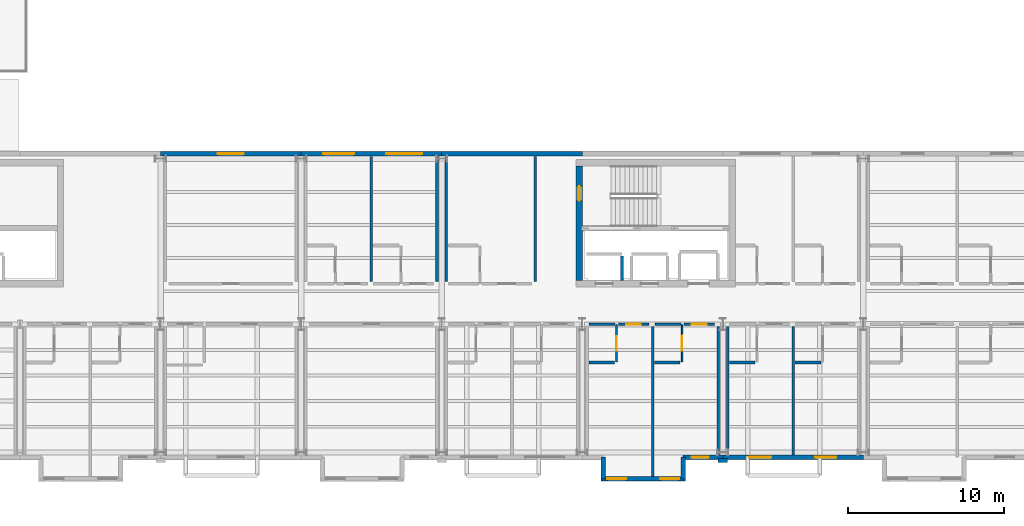
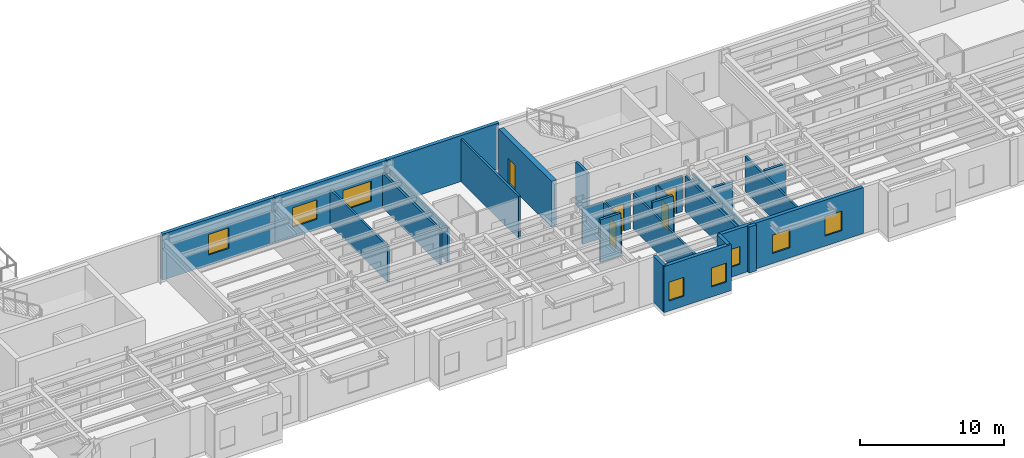
# One storey, part 40 of 59: 29 walls, 8 windows, 5 doors, 13 openings.
"""IFC4 building model written with IfcOpenShell, lengths in metres."""

import ifcopenshell
import ifcopenshell.guid

model = None  # the IFC model being written
_history = None  # IfcOwnerHistory: only IFC2X3 demands one
_inside = {}  # id of a spatial element -> (the spatial element, [elements in it])
_under = {}  # id of a project, library or spatial element -> (it, [spatial elements below it])
_declared = {}  # id of a project -> (the project, [libraries it declares])
_typed = {}  # id of a type object -> (the type object, [elements of that type])
_made_of = {}  # id of a material, layer set ... -> (it, [elements and type objects made of it])


def new_model(schema):
    """Start an empty IFC model of exactly this schema.

    Asked for "IFC4X3", IfcOpenShell would pick the latest addendum, in which some entities
    have other attributes; the version numbers below select the first issue.
    IFC2X3 requires an IfcOwnerHistory on every rooted entity: one is made here for all.
    """
    global model, _history
    if schema == "IFC4X3":
        model = ifcopenshell.file(schema_version=(4, 3, 0, 0))
    else:
        model = ifcopenshell.file(schema=schema)
    _inside.clear()
    _under.clear()
    _declared.clear()
    _typed.clear()
    _made_of.clear()
    _history = None
    if model.schema == "IFC2X3":
        org = make("IfcOrganization", Name="unknown")
        user = make(
            "IfcPersonAndOrganization",
            ThePerson=make("IfcPerson", FamilyName="unknown"),
            TheOrganization=org,
        )
        app = make(
            "IfcApplication",
            ApplicationDeveloper=org,
            Version="unknown",
            ApplicationFullName="unknown",
            ApplicationIdentifier="unknown",
        )
        _history = make(
            "IfcOwnerHistory",
            OwningUser=user,
            OwningApplication=app,
            ChangeAction="ADDED",
            CreationDate=0,
        )
    return model


def make(cls, **values):
    """One entity of the class cls with the attributes given. An attribute that is None is left unset."""
    return model.create_entity(
        cls, **{name: value for name, value in values.items() if value is not None}
    )


def rooted(cls, **values):
    """An entity with a GlobalId (a new one), such as an element, a storey or a relation."""
    return make(cls, GlobalId=ifcopenshell.guid.new(), OwnerHistory=_history, **values)


def si_unit(unit_type, name, prefix=None):
    """IfcSIUnit, for example si_unit("LENGTHUNIT", "METRE", prefix="MILLI")."""
    return make("IfcSIUnit", UnitType=unit_type, Prefix=prefix, Name=name)


def assignment(units):
    """IfcUnitAssignment: the units of a project."""
    return None if units is None else make("IfcUnitAssignment", Units=units)


def point(xyz):
    """IfcCartesianPoint."""
    return None if xyz is None else make("IfcCartesianPoint", Coordinates=xyz)


def direction(xyz):
    """IfcDirection."""
    return None if xyz is None else make("IfcDirection", DirectionRatios=xyz)


def frame(location, z_axis=None, x_axis=None):
    """IfcAxis2Placement3D, a coordinate frame: its origin and axes. An axis left out is left unset."""
    return make(
        "IfcAxis2Placement3D",
        Location=point(location),
        Axis=direction(z_axis),
        RefDirection=direction(x_axis),
    )


def frame_2d(location, x_axis=None):
    """IfcAxis2Placement2D, a coordinate frame in the plane: its origin and x axis."""
    return make(
        "IfcAxis2Placement2D", Location=point(location), RefDirection=direction(x_axis)
    )


def origin():
    """The frame at (0, 0, 0) with its axes left unset."""
    return frame((0.0, 0.0, 0.0))


def place(relative_to, where):
    """IfcLocalPlacement: puts the frame where relative to a parent placement (None: the world)."""
    return make(
        "IfcLocalPlacement", PlacementRelTo=relative_to, RelativePlacement=where
    )


def context(
    kind, dimensions, precision=None, world=None, true_north=None, identifier=None
):
    """IfcGeometricRepresentationContext, for example the 3D "Model" context."""
    return make(
        "IfcGeometricRepresentationContext",
        ContextIdentifier=identifier,
        ContextType=kind,
        CoordinateSpaceDimension=dimensions,
        Precision=precision,
        WorldCoordinateSystem=world,
        TrueNorth=true_north,
    )


def subcontext(parent, identifier, kind, view, scale=None):
    """IfcGeometricRepresentationSubContext, for example "Body" below "Model"."""
    return make(
        "IfcGeometricRepresentationSubContext",
        ContextIdentifier=identifier,
        ContextType=kind,
        ParentContext=parent,
        TargetScale=scale,
        TargetView=view,
    )


def project(units=None, contexts=None):
    """IfcProject with its units and contexts."""
    return rooted(
        "IfcProject",
        Name="project",
        RepresentationContexts=contexts,
        UnitsInContext=assignment(units),
    )


def spatial(cls, under=None, at=None, **own):
    """A site, building, storey or space (cls), placed at a placement, below another one or the project."""
    s = rooted(cls, ObjectPlacement=at, **own)
    if under is not None:
        _under.setdefault(under.id(), (under, []))[1].append(s)
    return s


def profile(cls, at=None, kind="AREA", **sizes):
    """A parametric profile (cls). Its sizes go by their IFC names, for example OverallWidth=200.0."""
    return make(cls, ProfileType=kind, Position=at, **sizes)


def rectangle(**sizes):
    """IfcRectangleProfileDef."""
    return profile("IfcRectangleProfileDef", **sizes)


def extrude(swept, where, along, depth):
    """IfcExtrudedAreaSolid: the profile swept, set in the frame where, extruded along a direction by depth."""
    return make(
        "IfcExtrudedAreaSolid",
        SweptArea=swept,
        Position=where,
        ExtrudedDirection=direction(along),
        Depth=depth,
    )


def shape(context_of_items, identifier, shape_type, items):
    """IfcShapeRepresentation: the items that make up one representation, for example the "Body"."""
    return make(
        "IfcShapeRepresentation",
        ContextOfItems=context_of_items,
        RepresentationIdentifier=identifier,
        RepresentationType=shape_type,
        Items=items,
    )


def material(Name=None, Category=None):
    """IfcMaterial."""
    return make("IfcMaterial", Name=Name, Category=Category)


def layer(
    of_material, thickness, ventilated=None, Name=None, Category=None, Priority=None
):
    """IfcMaterialLayer: one layer of a wall or slab, of a material (None: an air gap)."""
    return make(
        "IfcMaterialLayer",
        Material=of_material,
        LayerThickness=thickness,
        IsVentilated=ventilated,
        Name=Name,
        Category=Category,
        Priority=Priority,
    )


def layer_set(layers, Name=None):
    """IfcMaterialLayerSet."""
    return make("IfcMaterialLayerSet", MaterialLayers=layers, LayerSetName=Name)


def made_of(thing, what):
    """Note that an element or type object is made of a material, layer set ...; save() writes the relation."""
    if what is not None:
        _made_of.setdefault(what.id(), (what, []))[1].append(thing)
    return thing


def type_object(cls, material=None, **own):
    """A type object (cls), such as IfcWallType, which elements share."""
    return made_of(rooted(cls, **own), material)


def element(
    cls,
    number,
    at=None,
    inside=None,
    cuts=None,
    type_object=None,
    material=None,
    context=None,
    identifier="Body",
    shape_type=None,
    held_by="IfcProductDefinitionShape",
    body=None,
    shapes=None,
    **own,
):
    """One element of the class cls, such as IfcWall. Its Tag is "e" and its number.

    at: its placement. inside: the storey or other place that contains it. cuts: it is an
    opening in that element (IfcRelVoidsElement). A single representation is given by context,
    identifier, shape_type and body (its items); several are given by shapes. held_by: the class
    of the entity that holds the representations. save() writes the other relations.
    """
    e = rooted(cls, Tag="e%d" % number, ObjectPlacement=at, **own)
    if body is not None:
        shapes = [shape(context, identifier, shape_type, body)]
    if shapes is not None:
        e.Representation = make(held_by, Representations=shapes)
    if inside is not None:
        _inside.setdefault(inside.id(), (inside, []))[1].append(e)
    if cuts is not None:
        rooted(
            "IfcRelVoidsElement", RelatingBuildingElement=cuts, RelatedOpeningElement=e
        )
    if type_object is not None:
        _typed.setdefault(type_object.id(), (type_object, []))[1].append(e)
    return made_of(e, material)


def fill(opening, filler):
    """IfcRelFillsElement: the door or window that sits in an opening."""
    return rooted(
        "IfcRelFillsElement",
        RelatingOpeningElement=opening,
        RelatedBuildingElement=filler,
    )


def aggregate(whole, parts):
    """IfcRelAggregates: a whole, such as a stair, and the parts it consists of."""
    return rooted("IfcRelAggregates", RelatingObject=whole, RelatedObjects=parts)


def save(model, path):
    """Write the relations noted so far, then the file.

    IfcRelAggregates (storeys below a building ...), IfcRelContainedInSpatialStructure (elements
    in a storey), IfcRelDefinesByType, IfcRelAssociatesMaterial and IfcRelDeclares: one each for
    every whole, place, type object, material and project.
    """
    for whole, parts in _under.values():
        aggregate(whole, parts)
    for where, things in _inside.values():
        rooted(
            "IfcRelContainedInSpatialStructure",
            RelatedElements=things,
            RelatingStructure=where,
        )
    for kind, things in _typed.values():
        rooted("IfcRelDefinesByType", RelatedObjects=things, RelatingType=kind)
    for what, things in _made_of.values():
        rooted("IfcRelAssociatesMaterial", RelatedObjects=things, RelatingMaterial=what)
    for by, libraries in _declared.values():
        rooted("IfcRelDeclares", RelatingContext=by, RelatedDefinitions=libraries)
    model.write(path)


model = new_model("IFC4")

# Units and contexts
model_context = context("Model", 3, precision=1e-05, world=origin(), true_north=direction((0.0, 1.0)))
body_context = subcontext(model_context, "Body", "Model", "MODEL_VIEW")
ifc_project = project(units=[si_unit("LENGTHUNIT", "METRE"), si_unit("AREAUNIT", "SQUARE_METRE"), si_unit("VOLUMEUNIT", "CUBIC_METRE"), si_unit("PLANEANGLEUNIT", "RADIAN"), si_unit("MASSUNIT", "GRAM", prefix="KILO")], contexts=[model_context])

# Site, building, storey
site_placement = place(None, origin())
site = spatial("IfcSite", under=ifc_project, at=site_placement, CompositionType="ELEMENT")
building_placement = place(site_placement, origin())
building = spatial("IfcBuilding", under=site, at=building_placement, Name="Sollismere Congress Hotel", CompositionType="ELEMENT")
storey_placement = place(building_placement, frame((0.0, 0.0, 15.60009765625)))
storey = spatial("IfcBuildingStorey", under=building, at=storey_placement, Name="L03", CompositionType="ELEMENT", Elevation=15.60009765625)

# Wall, opening, window
ifc_material_1 = material(Name="Colorado Buff Sandstone Rainscreen on Insulated Backup", Category="masonry")
ifc_layer_1 = layer(ifc_material_1, 0.284912109375, Name="Colorado Buff Sandstone Rainscreen on Insulated Backup")
ifc_layer_set_1 = layer_set([ifc_layer_1], Name="Colorado Buff Sandstone Rainscreen on Insulated Backup")
wall_type_1 = type_object("IfcWallType", Name="WL-EXT285", PredefinedType="STANDARD", material=ifc_layer_set_1)
wall_1_placement = place(storey_placement, frame((100.4599609375, -0.31005859375, 0.0), z_axis=(0.0, 0.0, 1.0), x_axis=(1.0, 0.0, 0.0)))
wall_1 = element("IfcWall", 1, at=wall_1_placement, inside=storey, type_object=wall_type_1, Name="Exterior wall EW-L03-411", PredefinedType="STANDARD", context=body_context, shape_type="SweptSolid", body=[
    extrude(rectangle(XDim=2.5400390625, YDim=0.284912109375, at=frame_2d((1.27001953125, 0.0))), origin(), (0.0, 0.0, 1.0), 3.89990234375),
])
opening_1_placement = place(wall_1_placement, frame((0.544921875, 0.0, 0.85009765625)))
opening_1 = element("IfcOpeningElement", 2, at=opening_1_placement, cuts=wall_1, Name="Opening W-L03-323", PredefinedType="OPENING", context=body_context, shape_type="SweptSolid", body=[
    extrude(rectangle(XDim=1.10009765625, YDim=1.5, at=frame_2d((0.550048828125, 0.75))), frame((0.0, 0.15234375, 0.0), z_axis=(0.0, -1.0, 0.0), x_axis=(1.0, 0.0, 0.0)), (0.0, 0.0, 1.0), 0.304931640625),
])
ifc_material_2 = material(Name="Thermally Broken Bronze Aluminum & Low-E Glass", Category="aluminium")
window_type_1 = type_object("IfcWindowType", Name="WN-P110x150", PartitioningType="SINGLE_PANEL", PredefinedType="WINDOW", material=ifc_material_2)
window_1_placement = place(opening_1_placement, origin())
window_1 = element("IfcWindow", 3, at=window_1_placement, inside=storey, type_object=window_type_1, Name="WIN-W-L03-323", OverallHeight=1.5, OverallWidth=1.10009765625, PartitioningType="SINGLE_PANEL", PredefinedType="WINDOW", context=body_context, shape_type="SweptSolid", body=[
    extrude(rectangle(XDim=1.10009765625, YDim=1.5, at=frame_2d((0.550048828125, 0.75))), frame((0.0, 0.030029296875, 0.0), z_axis=(0.0, -1.0, 0.0), x_axis=(1.0, 0.0, 0.0)), (0.0, 0.0, 1.0), 0.06005859375),
])
fill(opening_1, window_1)

# Wall, openings, windows
wall_2_placement = place(storey_placement, frame((95.199951171875, -1.699951171875, 0.0), z_axis=(0.0, 0.0, 1.0), x_axis=(1.0, 0.0, 0.0)))
wall_2 = element("IfcWall", 4, at=wall_2_placement, inside=storey, type_object=wall_type_1, Name="Exterior wall EW-L03-412", PredefinedType="STANDARD", context=body_context, shape_type="SweptSolid", body=[
    extrude(rectangle(XDim=5.400146484375, YDim=0.284912109375, at=frame_2d((2.7001953125, 0.0))), origin(), (0.0, 0.0, 1.0), 3.89990234375),
])
opening_2_placement = place(wall_2_placement, frame((0.39990234375, 0.0, 0.85009765625)))
opening_2 = element("IfcOpeningElement", 5, at=opening_2_placement, cuts=wall_2, Name="Opening W-L03-324", PredefinedType="OPENING", context=body_context, shape_type="SweptSolid", body=[
    extrude(rectangle(XDim=1.199951171875, YDim=1.60009765625, at=frame_2d((0.60009765625, 0.800048828125))), frame((0.0, 0.15234375, 0.0), z_axis=(0.0, -1.0, 0.0), x_axis=(1.0, 0.0, 0.0)), (0.0, 0.0, 1.0), 0.304931640625),
])
opening_3_placement = place(wall_2_placement, frame((3.800048828125, 0.0, 0.85009765625)))
opening_3 = element("IfcOpeningElement", 6, at=opening_3_placement, cuts=wall_2, Name="Opening W-L03-325", PredefinedType="OPENING", context=body_context, shape_type="SweptSolid", body=[
    extrude(rectangle(XDim=1.199951171875, YDim=1.60009765625, at=frame_2d((0.60009765625, 0.800048828125))), frame((0.0, 0.15234375, 0.0), z_axis=(0.0, -1.0, 0.0), x_axis=(1.0, 0.0, 0.0)), (0.0, 0.0, 1.0), 0.304931640625),
])
window_type_2 = type_object("IfcWindowType", Name="WN-P120x160", PartitioningType="SINGLE_PANEL", PredefinedType="WINDOW", material=ifc_material_2)
window_2_placement = place(opening_2_placement, origin())
window_2 = element("IfcWindow", 7, at=window_2_placement, inside=storey, type_object=window_type_2, Name="WIN-W-L03-324", OverallHeight=1.60009765625, OverallWidth=1.199951171875, PartitioningType="SINGLE_PANEL", PredefinedType="WINDOW", context=body_context, shape_type="SweptSolid", body=[
    extrude(rectangle(XDim=1.199951171875, YDim=1.60009765625, at=frame_2d((0.60009765625, 0.800048828125))), frame((0.0, 0.030029296875, 0.0), z_axis=(0.0, -1.0, 0.0), x_axis=(1.0, 0.0, 0.0)), (0.0, 0.0, 1.0), 0.06005859375),
])
fill(opening_2, window_2)
window_3_placement = place(opening_3_placement, origin())
window_3 = element("IfcWindow", 8, at=window_3_placement, inside=storey, type_object=window_type_2, Name="WIN-W-L03-325", OverallHeight=1.60009765625, OverallWidth=1.199951171875, PartitioningType="SINGLE_PANEL", PredefinedType="WINDOW", context=body_context, shape_type="SweptSolid", body=[
    extrude(rectangle(XDim=1.199951171875, YDim=1.60009765625, at=frame_2d((0.60009765625, 0.800048828125))), frame((0.0, 0.030029296875, 0.0), z_axis=(0.0, -1.0, 0.0), x_axis=(1.0, 0.0, 0.0)), (0.0, 0.0, 1.0), 0.06005859375),
])
fill(opening_3, window_3)

# Walls
for number, where, z_axis, x_axis, name in (
    (9, (95.340087890625, -0.31005859375, 0.0), (0.0, 0.0, 1.0), (0.0, -1.0, 0.0), "Exterior wall EW-L03-413"),
    (10, (100.4599609375, -1.699951171875, 0.0), (0.0, 0.0, 1.0), (0.0, 1.0, 0.0), "Exterior wall EW-L03-414"),
):
    element("IfcWall", number, at=place(storey_placement, frame(where, z_axis=z_axis, x_axis=x_axis)), inside=storey, type_object=wall_type_1, Name=name, PredefinedType="STANDARD", context=body_context, shape_type="SweptSolid", body=[
        extrude(rectangle(XDim=1.389892578125, YDim=0.284912109375, at=frame_2d((0.69482421875, 0.0))), origin(), (0.0, 0.0, 1.0), 3.89990234375),
    ])

# Wall, openings, windows
wall_3_placement = place(storey_placement, frame((103.0, -0.31005859375, 0.0), z_axis=(0.0, 0.0, 1.0), x_axis=(1.0, 0.0, 0.0)))
wall_3 = element("IfcWall", 11, at=wall_3_placement, inside=storey, type_object=wall_type_1, Name="Exterior wall EW-L03-415", PredefinedType="STANDARD", context=body_context, shape_type="SweptSolid", body=[
    extrude(rectangle(XDim=9.0, YDim=0.284912109375, at=frame_2d((4.5, 0.0))), origin(), (0.0, 0.0, 1.0), 3.89990234375),
])
opening_4_placement = place(wall_3_placement, frame((1.699951171875, 0.0, 0.85009765625)))
opening_4 = element("IfcOpeningElement", 12, at=opening_4_placement, cuts=wall_3, Name="Opening W-L03-326", PredefinedType="OPENING", context=body_context, shape_type="SweptSolid", body=[
    extrude(rectangle(XDim=1.39990234375, YDim=1.550048828125, at=frame_2d((0.699951171875, 0.77490234375))), frame((0.0, 0.15234375, 0.0), z_axis=(0.0, -1.0, 0.0), x_axis=(1.0, 0.0, 0.0)), (0.0, 0.0, 1.0), 0.304931640625),
])
opening_5_placement = place(wall_3_placement, frame((5.925048828125, 0.0, 0.85009765625)))
opening_5 = element("IfcOpeningElement", 13, at=opening_5_placement, cuts=wall_3, Name="Opening W-L03-327", PredefinedType="OPENING", context=body_context, shape_type="SweptSolid", body=[
    extrude(rectangle(XDim=1.35009765625, YDim=1.64990234375, at=frame_2d((0.675048828125, 0.824951171875))), frame((0.0, 0.15234375, 0.0), z_axis=(0.0, -1.0, 0.0), x_axis=(1.0, 0.0, 0.0)), (0.0, 0.0, 1.0), 0.304931640625),
])
window_type_3 = type_object("IfcWindowType", Name="WN-P135x165", PartitioningType="SINGLE_PANEL", PredefinedType="WINDOW", material=ifc_material_2)
window_4_placement = place(opening_5_placement, origin())
window_4 = element("IfcWindow", 14, at=window_4_placement, inside=storey, type_object=window_type_3, Name="WIN-W-L03-327", OverallHeight=1.64990234375, OverallWidth=1.35009765625, PartitioningType="SINGLE_PANEL", PredefinedType="WINDOW", context=body_context, shape_type="SweptSolid", body=[
    extrude(rectangle(XDim=1.35009765625, YDim=1.64990234375, at=frame_2d((0.675048828125, 0.824951171875))), frame((0.0, 0.030029296875, 0.0), z_axis=(0.0, -1.0, 0.0), x_axis=(1.0, 0.0, 0.0)), (0.0, 0.0, 1.0), 0.06005859375),
])
fill(opening_5, window_4)
window_type_4 = type_object("IfcWindowType", Name="WN-P140x155", PartitioningType="SINGLE_PANEL", PredefinedType="WINDOW", material=ifc_material_2)
window_5_placement = place(opening_4_placement, origin())
window_5 = element("IfcWindow", 15, at=window_5_placement, inside=storey, type_object=window_type_4, Name="WIN-W-L03-326", OverallHeight=1.550048828125, OverallWidth=1.39990234375, PartitioningType="SINGLE_PANEL", PredefinedType="WINDOW", context=body_context, shape_type="SweptSolid", body=[
    extrude(rectangle(XDim=1.39990234375, YDim=1.550048828125, at=frame_2d((0.699951171875, 0.77490234375))), frame((0.0, 0.030029296875, 0.0), z_axis=(0.0, -1.0, 0.0), x_axis=(1.0, 0.0, 0.0)), (0.0, 0.0, 1.0), 0.06005859375),
])
fill(opening_4, window_5)

# Wall, opening, window
wall_4_placement = place(storey_placement, frame((76.0, 19.110107421875, 0.0), z_axis=(0.0, 0.0, 1.0), x_axis=(-1.0, 0.0, 0.0)))
wall_4 = element("IfcWall", 16, at=wall_4_placement, inside=storey, type_object=wall_type_1, Name="Exterior wall EW-L03-459", PredefinedType="STANDARD", context=body_context, shape_type="SweptSolid", body=[
    extrude(rectangle(XDim=9.0, YDim=0.284912109375, at=frame_2d((4.5, 0.0))), origin(), (0.0, 0.0, 1.0), 3.89990234375),
])
opening_6_placement = place(wall_4_placement, frame((3.675048828125, 0.0, 0.85009765625)))
opening_6 = element("IfcOpeningElement", 17, at=opening_6_placement, cuts=wall_4, Name="Opening W-L03-350", PredefinedType="OPENING", context=body_context, shape_type="SweptSolid", body=[
    extrude(rectangle(XDim=1.64990234375, YDim=1.75, at=frame_2d((0.824951171875, 0.875))), frame((0.0, 0.15234375, 0.0), z_axis=(0.0, -1.0, 0.0), x_axis=(1.0, 0.0, 0.0)), (0.0, 0.0, 1.0), 0.304931640625),
])
window_type_5 = type_object("IfcWindowType", Name="WN-P165x175", PartitioningType="SINGLE_PANEL", PredefinedType="WINDOW", material=ifc_material_2)
window_6_placement = place(opening_6_placement, origin())
window_6 = element("IfcWindow", 18, at=window_6_placement, inside=storey, type_object=window_type_5, Name="WIN-W-L03-350", OverallHeight=1.75, OverallWidth=1.64990234375, PartitioningType="SINGLE_PANEL", PredefinedType="WINDOW", context=body_context, shape_type="SweptSolid", body=[
    extrude(rectangle(XDim=1.64990234375, YDim=1.75, at=frame_2d((0.824951171875, 0.875))), frame((0.0, 0.030029296875, 0.0), z_axis=(0.0, -1.0, 0.0), x_axis=(1.0, 0.0, 0.0)), (0.0, 0.0, 1.0), 0.06005859375),
])
fill(opening_6, window_6)

# Wall, openings, windows
wall_5_placement = place(storey_placement, frame((85.0, 19.110107421875, 0.0), z_axis=(0.0, 0.0, 1.0), x_axis=(-1.0, 0.0, 0.0)))
wall_5 = element("IfcWall", 19, at=wall_5_placement, inside=storey, type_object=wall_type_1, Name="Exterior wall EW-L03-460", PredefinedType="STANDARD", context=body_context, shape_type="SweptSolid", body=[
    extrude(rectangle(XDim=9.0, YDim=0.284912109375, at=frame_2d((4.5, 0.0))), origin(), (0.0, 0.0, 1.0), 3.89990234375),
])
opening_7_placement = place(wall_5_placement, frame((5.60009765625, 0.0, 0.85009765625)))
opening_7 = element("IfcOpeningElement", 20, at=opening_7_placement, cuts=wall_5, Name="Opening W-L03-351", PredefinedType="OPENING", context=body_context, shape_type="SweptSolid", body=[
    extrude(rectangle(XDim=2.0, YDim=1.64990234375, at=frame_2d((1.0, 0.824951171875))), frame((0.0, 0.15234375, 0.0), z_axis=(0.0, -1.0, 0.0), x_axis=(1.0, 0.0, 0.0)), (0.0, 0.0, 1.0), 0.304931640625),
])
opening_8_placement = place(wall_5_placement, frame((1.25, 0.0, 0.85009765625)))
opening_8 = element("IfcOpeningElement", 21, at=opening_8_placement, cuts=wall_5, Name="Opening W-L03-352", PredefinedType="OPENING", context=body_context, shape_type="SweptSolid", body=[
    extrude(rectangle(XDim=2.300048828125, YDim=1.699951171875, at=frame_2d((1.14990234375, 0.85009765625))), frame((0.0, 0.15234375, 0.0), z_axis=(0.0, -1.0, 0.0), x_axis=(1.0, 0.0, 0.0)), (0.0, 0.0, 1.0), 0.304931640625),
])
window_type_6 = type_object("IfcWindowType", Name="WN-P200x165", PartitioningType="SINGLE_PANEL", PredefinedType="WINDOW", material=ifc_material_2)
window_7_placement = place(opening_7_placement, origin())
window_7 = element("IfcWindow", 22, at=window_7_placement, inside=storey, type_object=window_type_6, Name="WIN-W-L03-351", OverallHeight=1.64990234375, OverallWidth=2.0, PartitioningType="SINGLE_PANEL", PredefinedType="WINDOW", context=body_context, shape_type="SweptSolid", body=[
    extrude(rectangle(XDim=2.0, YDim=1.64990234375, at=frame_2d((1.0, 0.824951171875))), frame((0.0, 0.030029296875, 0.0), z_axis=(0.0, -1.0, 0.0), x_axis=(1.0, 0.0, 0.0)), (0.0, 0.0, 1.0), 0.06005859375),
])
fill(opening_7, window_7)
window_type_7 = type_object("IfcWindowType", Name="WN-P230x170", PartitioningType="SINGLE_PANEL", PredefinedType="WINDOW", material=ifc_material_2)
window_8_placement = place(opening_8_placement, origin())
window_8 = element("IfcWindow", 23, at=window_8_placement, inside=storey, type_object=window_type_7, Name="WIN-W-L03-352", OverallHeight=1.699951171875, OverallWidth=2.300048828125, PartitioningType="SINGLE_PANEL", PredefinedType="WINDOW", context=body_context, shape_type="SweptSolid", body=[
    extrude(rectangle(XDim=2.300048828125, YDim=1.699951171875, at=frame_2d((1.14990234375, 0.85009765625))), frame((0.0, 0.030029296875, 0.0), z_axis=(0.0, -1.0, 0.0), x_axis=(1.0, 0.0, 0.0)), (0.0, 0.0, 1.0), 0.06005859375),
])
fill(opening_8, window_8)

# Walls
wall_6_placement = place(storey_placement, frame((94.0, 19.110107421875, 0.0), z_axis=(0.0, 0.0, 1.0), x_axis=(-1.0, 0.0, 0.0)))
element("IfcWall", 24, at=wall_6_placement, inside=storey, type_object=wall_type_1, Name="Exterior wall EW-L03-461", PredefinedType="STANDARD", context=body_context, shape_type="SweptSolid", body=[
    extrude(rectangle(XDim=9.0, YDim=0.284912109375, at=frame_2d((4.5, 0.0))), origin(), (0.0, 0.0, 1.0), 3.89990234375),
])
ifc_material_3 = material(Name="Carved Travertine Pilaster & Frieze Assembly", Category="masonry")
ifc_layer_2 = layer(ifc_material_3, 0.260009765625, Name="Carved Travertine Pilaster & Frieze Assembly")
ifc_layer_set_2 = layer_set([ifc_layer_2], Name="Carved Travertine Pilaster & Frieze Assembly")
wall_type_2 = type_object("IfcWallType", Name="WL-PIL280", PredefinedType="ELEMENTEDWALL", material=ifc_layer_set_2)
wall_7_placement = place(storey_placement, frame((102.699951171875, -0.52001953125, 0.0), z_axis=(0.0, 0.0, 1.0), x_axis=(1.0, 0.0, 0.0)))
element("IfcWall", 25, at=wall_7_placement, inside=storey, type_object=wall_type_2, Name="Exterior wall EW-L03-416", PredefinedType="ELEMENTEDWALL", context=body_context, shape_type="SweptSolid", body=[
    extrude(rectangle(XDim=0.60009765625, YDim=0.260009765625, at=frame_2d((0.300048828125, 0.0))), origin(), (0.0, 0.0, 1.0), 3.89990234375),
])
ifc_material_4 = material(Name="Moisture-Resistant Shaft Gypsum Assembly")
ifc_layer_3 = layer(ifc_material_4, 0.199951171875, Name="Moisture-Resistant Shaft Gypsum Assembly")
ifc_layer_set_3 = layer_set([ifc_layer_3], Name="Moisture-Resistant Shaft Gypsum Assembly")
wall_type_3 = type_object("IfcWallType", Name="WL-PLM200", PredefinedType="PLUMBINGWALL", material=ifc_layer_set_3)
wall_8_placement = place(storey_placement, frame((96.544921875, 11.011962890625, 0.0), z_axis=(0.0, 0.0, 1.0), x_axis=(0.0, 1.0, 0.0)))
element("IfcWall", 26, at=wall_8_placement, inside=storey, type_object=wall_type_3, Name="Interior wall IW-L03-0267", PredefinedType="PLUMBINGWALL", context=body_context, shape_type="SweptSolid", body=[
    extrude(rectangle(XDim=1.56591796875, YDim=0.199951171875, at=frame_2d((0.782958984375, 0.0))), origin(), (0.0, 0.0, 1.0), 3.599853515625),
])
wall_9_placement = place(storey_placement, frame((94.419921875, 5.75, 0.0), z_axis=(0.0, 0.0, 1.0), x_axis=(1.0, 0.0, 0.0)))
element("IfcWall", 27, at=wall_9_placement, inside=storey, type_object=wall_type_3, Name="Interior wall IW-L03-1298", PredefinedType="PLUMBINGWALL", context=body_context, shape_type="SweptSolid", body=[
    extrude(rectangle(XDim=1.650146484375, YDim=0.199951171875, at=frame_2d((0.8251953125, 0.0))), origin(), (0.0, 0.0, 1.0), 3.599853515625),
])
wall_10_placement = place(storey_placement, frame((98.6201171875, 5.75, 0.0), z_axis=(0.0, 0.0, 1.0), x_axis=(1.0, 0.0, 0.0)))
element("IfcWall", 28, at=wall_10_placement, inside=storey, type_object=wall_type_3, Name="Interior wall IW-L03-1303", PredefinedType="PLUMBINGWALL", context=body_context, shape_type="SweptSolid", body=[
    extrude(rectangle(XDim=1.64990234375, YDim=0.199951171875, at=frame_2d((0.824951171875, 0.0))), origin(), (0.0, 0.0, 1.0), 3.599853515625),
])
wall_11_placement = place(storey_placement, frame((103.419921875, 5.75, 0.0), z_axis=(0.0, 0.0, 1.0), x_axis=(1.0, 0.0, 0.0)))
element("IfcWall", 29, at=wall_11_placement, inside=storey, type_object=wall_type_3, Name="Interior wall IW-L03-1309", PredefinedType="PLUMBINGWALL", context=body_context, shape_type="SweptSolid", body=[
    extrude(rectangle(XDim=1.650146484375, YDim=0.199951171875, at=frame_2d((0.8251953125, 0.0))), origin(), (0.0, 0.0, 1.0), 3.15283203125),
])
wall_12_placement = place(storey_placement, frame((107.6201171875, 5.75, 0.0), z_axis=(0.0, 0.0, 1.0), x_axis=(1.0, 0.0, 0.0)))
element("IfcWall", 30, at=wall_12_placement, inside=storey, type_object=wall_type_3, Name="Interior wall IW-L03-1314", PredefinedType="PLUMBINGWALL", context=body_context, shape_type="SweptSolid", body=[
    extrude(rectangle(XDim=1.64990234375, YDim=0.199951171875, at=frame_2d((0.824951171875, 0.0))), origin(), (0.0, 0.0, 1.0), 3.15283203125),
])

# Wall, opening, door
ifc_material_5 = material(Name="Moisture-Resistant Gypsum Partition")
ifc_layer_4 = layer(ifc_material_5, 0.10009765625, Name="Moisture-Resistant Gypsum Partition")
ifc_layer_set_4 = layer_set([ifc_layer_4], Name="Moisture-Resistant Gypsum Partition")
wall_type_4 = type_object("IfcWallType", Name="WL-PRT100", PredefinedType="PARTITIONING", material=ifc_layer_set_4)
wall_13_placement = place(storey_placement, frame((96.18994140625, 5.7900390625, 0.0), z_axis=(0.0, 0.0, 1.0), x_axis=(0.0, 1.0, 0.0)))
wall_13 = element("IfcWall", 31, at=wall_13_placement, inside=storey, type_object=wall_type_4, Name="Interior wall IW-L03-1297", PredefinedType="PARTITIONING", context=body_context, shape_type="SweptSolid", body=[
    extrude(rectangle(XDim=2.369873046875, YDim=0.10009765625, at=frame_2d((1.18505859375, 0.0))), origin(), (0.0, 0.0, 1.0), 3.012939453125),
])
opening_9_placement = place(wall_13_placement, frame((0.719970703125, 0.0, 0.0)))
opening_9 = element("IfcOpeningElement", 32, at=opening_9_placement, cuts=wall_13, Name="Opening D-L03-0458", PredefinedType="OPENING", context=body_context, shape_type="SweptSolid", body=[
    extrude(rectangle(XDim=0.929931640625, YDim=2.139892578125, at=frame_2d((0.46484375, 1.06982421875))), frame((0.0, 0.06005859375, 0.0), z_axis=(0.0, -1.0, 0.0), x_axis=(1.0, 0.0, 0.0)), (0.0, 0.0, 1.0), 0.1201171875),
])
ifc_material_6 = material(Name="Moisture-Sealed Timber Bathroom Door", Category="wood")
door_type_1 = type_object("IfcDoorType", Name="DR-BT03", OperationType="NOTDEFINED", PredefinedType="DOOR", material=ifc_material_6)
door_1_placement = place(opening_9_placement, origin())
door_1 = element("IfcDoor", 33, at=door_1_placement, inside=storey, type_object=door_type_1, Name="En-suite bathroom door D-L03-0458", OperationType="SINGLE_SWING_LEFT", OverallHeight=2.139892578125, OverallWidth=0.929931640625, PredefinedType="DOOR", context=body_context, shape_type="SweptSolid", body=[
    extrude(rectangle(XDim=0.929931640625, YDim=2.139892578125, at=frame_2d((0.46484375, 1.06982421875))), frame((0.0, 0.02490234375, 0.0), z_axis=(0.0, -1.0, 0.0), x_axis=(1.0, 0.0, 0.0)), (0.0, 0.0, 1.0), 0.050048828125),
])
fill(opening_9, door_1)

wall_14_placement = place(storey_placement, frame((100.389892578125, 5.7900390625, 0.0), z_axis=(0.0, 0.0, 1.0), x_axis=(0.0, 1.0, 0.0)))
wall_14 = element("IfcWall", 34, at=wall_14_placement, inside=storey, type_object=wall_type_4, Name="Interior wall IW-L03-1302", PredefinedType="PARTITIONING", context=body_context, shape_type="SweptSolid", body=[
    extrude(rectangle(XDim=2.369873046875, YDim=0.10009765625, at=frame_2d((1.18505859375, 0.0))), origin(), (0.0, 0.0, 1.0), 3.012939453125),
])
opening_10_placement = place(wall_14_placement, frame((0.7080078125, 0.0, 0.0)))
opening_10 = element("IfcOpeningElement", 35, at=opening_10_placement, cuts=wall_14, Name="Opening D-L03-0460", PredefinedType="OPENING", context=body_context, shape_type="SweptSolid", body=[
    extrude(rectangle(XDim=0.955078125, YDim=2.139892578125, at=frame_2d((0.4775390625, 1.06982421875))), frame((0.0, 0.06005859375, 0.0), z_axis=(0.0, -1.0, 0.0), x_axis=(1.0, 0.0, 0.0)), (0.0, 0.0, 1.0), 0.1201171875),
])
door_type_2 = type_object("IfcDoorType", Name="DR-BT04", OperationType="NOTDEFINED", PredefinedType="DOOR", material=ifc_material_6)
door_2_placement = place(opening_10_placement, origin())
door_2 = element("IfcDoor", 36, at=door_2_placement, inside=storey, type_object=door_type_2, Name="En-suite bathroom door D-L03-0460", OperationType="SINGLE_SWING_LEFT", OverallHeight=2.139892578125, OverallWidth=0.955078125, PredefinedType="DOOR", context=body_context, shape_type="SweptSolid", body=[
    extrude(rectangle(XDim=0.955078125, YDim=2.139892578125, at=frame_2d((0.4775390625, 1.06982421875))), frame((0.0, 0.02490234375, 0.0), z_axis=(0.0, -1.0, 0.0), x_axis=(1.0, 0.0, 0.0)), (0.0, 0.0, 1.0), 0.050048828125),
])
fill(opening_10, door_2)

# Wall
ifc_material_7 = material(Name="Fire-Rated Gypsum Partition")
ifc_layer_5 = layer(ifc_material_7, 0.139892578125, Name="Fire-Rated Gypsum Partition")
ifc_layer_set_5 = layer_set([ifc_layer_5], Name="Fire-Rated Gypsum Partition")
wall_type_5 = type_object("IfcWallType", Name="WL-PRT140R", PredefinedType="PARTITIONING", material=ifc_layer_set_5)
wall_15_placement = place(storey_placement, frame((94.43994140625, 8.199951171875, 0.0), z_axis=(0.0, 0.0, 1.0), x_axis=(1.0, 0.0, 0.0)))
element("IfcWall", 37, at=wall_15_placement, inside=storey, type_object=wall_type_5, Name="Interior wall IW-L03-1293", PredefinedType="PARTITIONING", context=body_context, shape_type="SweptSolid", body=[
    extrude(rectangle(XDim=1.670166015625, YDim=0.139892578125, at=frame_2d((0.8349609375, 0.0))), origin(), (0.0, 0.0, 1.0), 3.012939453125),
])

# Wall, opening, door
wall_16_placement = place(storey_placement, frame((96.31005859375, 8.199951171875, 0.0), z_axis=(0.0, 0.0, 1.0), x_axis=(1.0, 0.0, 0.0)))
wall_16 = element("IfcWall", 38, at=wall_16_placement, inside=storey, type_object=wall_type_5, Name="Interior wall IW-L03-1294", PredefinedType="PARTITIONING", context=body_context, shape_type="SweptSolid", body=[
    extrude(rectangle(XDim=1.949951171875, YDim=0.139892578125, at=frame_2d((0.97509765625, 0.0))), origin(), (0.0, 0.0, 1.0), 3.012939453125),
])
opening_11_placement = place(wall_16_placement, frame((0.514892578125, 0.0, 0.0)))
opening_11 = element("IfcOpeningElement", 39, at=opening_11_placement, cuts=wall_16, Name="Opening D-L03-0457", PredefinedType="OPENING", context=body_context, shape_type="SweptSolid", body=[
    extrude(rectangle(XDim=0.919921875, YDim=2.300048828125, at=frame_2d((0.4599609375, 1.14990234375))), frame((0.0, 0.079833984375, 0.0), z_axis=(0.0, -1.0, 0.0), x_axis=(1.0, 0.0, 0.0)), (0.0, 0.0, 1.0), 0.159912109375),
])
ifc_material_8 = material(Name="Solid-Core Acoustic Walnut Guestroom Entry Door")
door_type_3 = type_object("IfcDoorType", Name="DR-KY07", OperationType="NOTDEFINED", PredefinedType="DOOR", material=ifc_material_8)
door_3_placement = place(opening_11_placement, origin())
door_3 = element("IfcDoor", 40, at=door_3_placement, inside=storey, type_object=door_type_3, Name="Hotel room entry door D-L03-0457", OperationType="SINGLE_SWING_RIGHT", OverallHeight=2.300048828125, OverallWidth=0.919921875, PredefinedType="DOOR", context=body_context, shape_type="SweptSolid", body=[
    extrude(rectangle(XDim=0.919921875, YDim=2.300048828125, at=frame_2d((0.4599609375, 1.14990234375))), frame((0.0, 0.02490234375, 0.0), z_axis=(0.0, -1.0, 0.0), x_axis=(1.0, 0.0, 0.0)), (0.0, 0.0, 1.0), 0.050048828125),
])
fill(opening_11, door_3)

# Wall
wall_17_placement = place(storey_placement, frame((98.639892578125, 8.199951171875, 0.0), z_axis=(0.0, 0.0, 1.0), x_axis=(1.0, 0.0, 0.0)))
element("IfcWall", 41, at=wall_17_placement, inside=storey, type_object=wall_type_5, Name="Interior wall IW-L03-1299", PredefinedType="PARTITIONING", context=body_context, shape_type="SweptSolid", body=[
    extrude(rectangle(XDim=1.670166015625, YDim=0.139892578125, at=frame_2d((0.8349609375, 0.0))), origin(), (0.0, 0.0, 1.0), 3.012939453125),
])

# Wall, opening, door
wall_18_placement = place(storey_placement, frame((100.510009765625, 8.199951171875, 0.0), z_axis=(0.0, 0.0, 1.0), x_axis=(1.0, 0.0, 0.0)))
wall_18 = element("IfcWall", 42, at=wall_18_placement, inside=storey, type_object=wall_type_5, Name="Interior wall IW-L03-1300", PredefinedType="PARTITIONING", context=body_context, shape_type="SweptSolid", body=[
    extrude(rectangle(XDim=1.949951171875, YDim=0.139892578125, at=frame_2d((0.97509765625, 0.0))), origin(), (0.0, 0.0, 1.0), 3.012939453125),
])
opening_12_placement = place(wall_18_placement, frame((0.5, 0.0, 0.0)))
opening_12 = element("IfcOpeningElement", 43, at=opening_12_placement, cuts=wall_18, Name="Opening D-L03-0459", PredefinedType="OPENING", context=body_context, shape_type="SweptSolid", body=[
    extrude(rectangle(XDim=0.949951171875, YDim=2.300048828125, at=frame_2d((0.47509765625, 1.14990234375))), frame((0.0, 0.079833984375, 0.0), z_axis=(0.0, -1.0, 0.0), x_axis=(1.0, 0.0, 0.0)), (0.0, 0.0, 1.0), 0.159912109375),
])
door_type_4 = type_object("IfcDoorType", Name="DR-KY08", OperationType="NOTDEFINED", PredefinedType="DOOR", material=ifc_material_8)
door_4_placement = place(opening_12_placement, origin())
door_4 = element("IfcDoor", 44, at=door_4_placement, inside=storey, type_object=door_type_4, Name="Hotel room entry door D-L03-0459", OperationType="SINGLE_SWING_RIGHT", OverallHeight=2.300048828125, OverallWidth=0.949951171875, PredefinedType="DOOR", context=body_context, shape_type="SweptSolid", body=[
    extrude(rectangle(XDim=0.949951171875, YDim=2.300048828125, at=frame_2d((0.47509765625, 1.14990234375))), frame((0.0, 0.02490234375, 0.0), z_axis=(0.0, -1.0, 0.0), x_axis=(1.0, 0.0, 0.0)), (0.0, 0.0, 1.0), 0.050048828125),
])
fill(opening_12, door_4)

# Walls
ifc_material_9 = material(Name="Fire-Rated Acoustic Gypsum Partition")
ifc_layer_6 = layer(ifc_material_9, 0.1650390625, Name="Fire-Rated Acoustic Gypsum Partition")
ifc_layer_set_6 = layer_set([ifc_layer_6], Name="Fire-Rated Acoustic Gypsum Partition")
wall_type_6 = type_object("IfcWallType", Name="WL-PRT165R", PredefinedType="PARTITIONING", material=ifc_layer_set_6)
wall_19_placement = place(storey_placement, frame((80.5, 10.93994140625, 0.0), z_axis=(0.0, 0.0, 1.0), x_axis=(0.0, 1.0, 0.0)))
element("IfcWall", 45, at=wall_19_placement, inside=storey, type_object=wall_type_6, Name="Interior wall IW-L03-1268", PredefinedType="PARTITIONING", context=body_context, shape_type="SweptSolid", body=[
    extrude(rectangle(XDim=8.012451171875, YDim=0.1650390625, at=frame_2d((4.00634765625, 0.0))), origin(), (0.0, 0.0, 1.0), 3.012939453125),
])
for number, where, z_axis, x_axis, name in (
    (46, (84.699951171875, 10.93994140625, 0.0), (0.0, 0.0, 1.0), (0.0, 1.0, 0.0), "Interior wall IW-L03-1273"),
    (47, (85.300048828125, 10.93994140625, 0.0), (0.0, 0.0, 1.0), (0.0, 1.0, 0.0), "Interior wall IW-L03-1289"),
):
    element("IfcWall", number, at=place(storey_placement, frame(where, z_axis=z_axis, x_axis=x_axis)), inside=storey, type_object=wall_type_6, Name=name, PredefinedType="PARTITIONING", context=body_context, shape_type="SweptSolid", body=[
        extrude(rectangle(XDim=8.012451171875, YDim=0.1650390625, at=frame_2d((4.00634765625, 0.0))), origin(), (0.0, 0.0, 1.0), 2.928955078125),
    ])
wall_20_placement = place(storey_placement, frame((91.0, 10.93994140625, 0.0), z_axis=(0.0, 0.0, 1.0), x_axis=(0.0, 1.0, 0.0)))
element("IfcWall", 48, at=wall_20_placement, inside=storey, type_object=wall_type_6, Name="Interior wall IW-L03-1290", PredefinedType="PARTITIONING", context=body_context, shape_type="SweptSolid", body=[
    extrude(rectangle(XDim=8.012451171875, YDim=0.1650390625, at=frame_2d((4.00634765625, 0.0))), origin(), (0.0, 0.0, 1.0), 3.599853515625),
])
wall_21_placement = place(storey_placement, frame((98.5, -1.54248046875, 0.0), z_axis=(0.0, 0.0, 1.0), x_axis=(0.0, 1.0, 0.0)))
element("IfcWall", 49, at=wall_21_placement, inside=storey, type_object=wall_type_6, Name="Interior wall IW-L03-1296", PredefinedType="PARTITIONING", context=body_context, shape_type="SweptSolid", body=[
    extrude(rectangle(XDim=9.6025390625, YDim=0.1650390625, at=frame_2d((4.80126953125, 0.0))), origin(), (0.0, 0.0, 1.0), 2.989990234375),
])
for number, where, z_axis, x_axis, name in (
    (50, (102.699951171875, -0.152587890625, 0.0), (0.0, 0.0, 1.0), (0.0, 1.0, 0.0), "Interior wall IW-L03-1301"),
    (51, (103.300048828125, -0.152587890625, 0.0), (0.0, 0.0, 1.0), (0.0, 1.0, 0.0), "Interior wall IW-L03-1306"),
    (52, (107.5, -0.152587890625, 0.0), (0.0, 0.0, 1.0), (0.0, 1.0, 0.0), "Interior wall IW-L03-1307"),
):
    element("IfcWall", number, at=place(storey_placement, frame(where, z_axis=z_axis, x_axis=x_axis)), inside=storey, type_object=wall_type_6, Name=name, PredefinedType="PARTITIONING", context=body_context, shape_type="SweptSolid", body=[
        extrude(rectangle(XDim=8.212646484375, YDim=0.1650390625, at=frame_2d((4.1064453125, 0.0))), origin(), (0.0, 0.0, 1.0), 2.989990234375),
    ])

# Wall, opening, door
ifc_material_10 = material(Name="Concrete C50/60", Category="concrete")
ifc_layer_7 = layer(ifc_material_10, 0.39990234375, Name="Concrete C50/60")
ifc_layer_set_7 = layer_set([ifc_layer_7], Name="Concrete C50/60")
wall_type_7 = type_object("IfcWallType", Name="WL-SHR400", PredefinedType="SHEAR", material=ifc_layer_set_7)
wall_22_placement = place(storey_placement, frame((93.800048828125, 18.35009765625, 0.0), z_axis=(0.0, 0.0, 1.0), x_axis=(0.0, -1.0, 0.0)))
wall_22 = element("IfcWall", 53, at=wall_22_placement, inside=storey, type_object=wall_type_7, Name="Interior wall IW-L03-0263", PredefinedType="SHEAR", context=body_context, shape_type="SweptSolid", body=[
    extrude(rectangle(XDim=7.35009765625, YDim=0.39990234375, at=frame_2d((3.675048828125, 0.0))), origin(), (0.0, 0.0, 1.0), 3.89990234375),
])
opening_13_placement = place(wall_22_placement, frame((1.300048828125, 0.0, 0.0)))
opening_13 = element("IfcOpeningElement", 54, at=opening_13_placement, cuts=wall_22, Name="Opening D-ST-02-L03", PredefinedType="OPENING", context=body_context, shape_type="SweptSolid", body=[
    extrude(rectangle(XDim=0.949951171875, YDim=2.199951171875, at=frame_2d((0.47509765625, 1.10009765625))), frame((0.0, 0.2099609375, 0.0), z_axis=(0.0, -1.0, 0.0), x_axis=(1.0, 0.0, 0.0)), (0.0, 0.0, 1.0), 0.419921875),
])
ifc_material_11 = material(Name="Fire-Rated Insulated Steel Door", Category="steel")
door_type_5 = type_object("IfcDoorType", Name="DR-FD90", OperationType="NOTDEFINED", PredefinedType="DOOR", material=ifc_material_11)
door_5_placement = place(opening_13_placement, origin())
door_5 = element("IfcDoor", 55, at=door_5_placement, inside=storey, type_object=door_type_5, Name="Exit stair fire door D-ST-02-L03", OperationType="SINGLE_SWING_RIGHT", OverallHeight=2.199951171875, OverallWidth=0.949951171875, PredefinedType="DOOR", context=body_context, shape_type="SweptSolid", body=[
    extrude(rectangle(XDim=0.949951171875, YDim=2.199951171875, at=frame_2d((0.47509765625, 1.10009765625))), frame((0.0, 0.02490234375, 0.0), z_axis=(0.0, -1.0, 0.0), x_axis=(1.0, 0.0, 0.0)), (0.0, 0.0, 1.0), 0.050048828125),
])
fill(opening_13, door_5)

save(model, "model.ifc")
